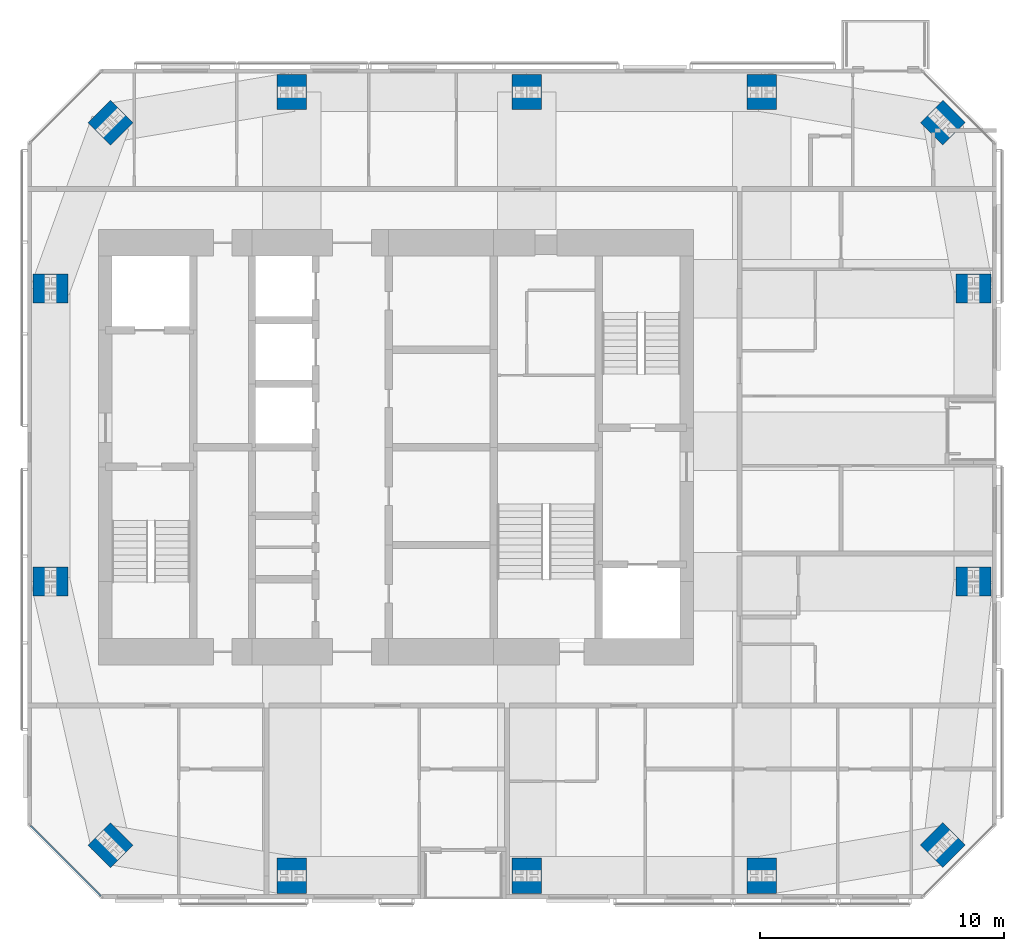
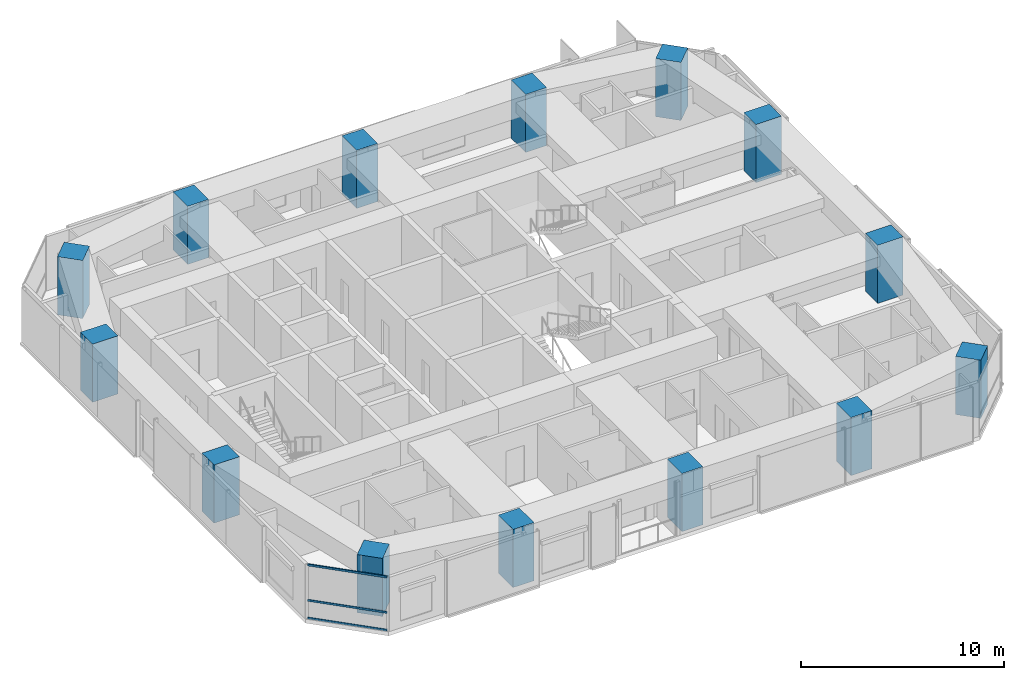
# One storey, part 1 of 20: 14 columns, 3 members, 1 element without a shape of its own.
"""IFC4 building model written with IfcOpenShell, lengths in metres."""

from ifc_helpers import new_model, si_unit, direction, frame, origin, origin_2d, place, context, subcontext, project, spatial, rectangle, extrude, material, material_profile, profile_set, type_object, element, aggregate, save


model = new_model("IFC4")

# Units and contexts
model_context = context("Model", 3, precision=1e-05, world=origin(), true_north=direction((0.0, 1.0)))
body_context = subcontext(model_context, "Body", "Model", "MODEL_VIEW")
ifc_project = project(units=[si_unit("LENGTHUNIT", "METRE"), si_unit("AREAUNIT", "SQUARE_METRE"), si_unit("VOLUMEUNIT", "CUBIC_METRE"), si_unit("PLANEANGLEUNIT", "RADIAN"), si_unit("MASSUNIT", "GRAM", prefix="KILO")], contexts=[model_context])

# Site, building, storey
site_placement = place(None, origin())
site = spatial("IfcSite", under=ifc_project, at=site_placement, CompositionType="ELEMENT")
building_placement = place(site_placement, origin())
building = spatial("IfcBuilding", under=site, at=building_placement, Name="Jalousie Tower", CompositionType="ELEMENT")
storey_placement = place(building_placement, frame((0.0, 0.0, 242.449951171875)))
storey = spatial("IfcBuildingStorey", under=building, at=storey_placement, Name="L66", CompositionType="ELEMENT", Elevation=242.449951171875)

# Columns
ifc_material_1 = material(Name="Concrete f'c 120 MPa", Category="concrete")
ifc_material_profile_1 = material_profile(ifc_material_1, rectangle(XDim=1.300048828125, YDim=1.300048828125, at=origin_2d()), Name="RC 1300x1300")
ifc_profile_set_1 = profile_set([ifc_material_profile_1], Name="Concrete f'c 120 MPa")
column_type_1 = type_object("IfcColumnType", Name="RC COLUMN 1300x1300", PredefinedType="COLUMN", material=ifc_profile_set_1)
for number, where, z_axis, x_axis, name in (
    (1, (20.20703125, 2.20703125, 0.0), (0.0, 0.0, 1.0), (0.707106781187, 0.707106781187, 0.0), "Column 01 L66"),
    (2, (54.29296875, 2.20703125, 0.0), (0.0, 0.0, 1.0), (0.707106781187, 0.707106781187, 0.0), "Column 05 L66"),
    (3, (54.29296875, 31.79296875, 0.0), (0.0, 0.0, 1.0), (0.707106781187, 0.707106781187, 0.0), "Column 08 L66"),
    (4, (20.20703125, 31.79296875, 0.0), (0.0, 0.0, 1.0), (0.707106781187, 0.707106781187, 0.0), "Column 12 L66"),
):
    element("IfcColumn", number, at=place(storey_placement, frame(where, z_axis=z_axis, x_axis=x_axis)), inside=storey, type_object=column_type_1, Name=name, PredefinedType="COLUMN", context=body_context, shape_type="SweptSolid", body=[
        extrude(rectangle(XDim=1.300048828125, YDim=1.300048828125, at=origin_2d()), origin(), (0.0, 0.0, 1.0), 3.5),
    ])
ifc_material_2 = material(Name="Concrete f'c 120 MPa", Category="concrete")
ifc_material_profile_2 = material_profile(ifc_material_2, rectangle(XDim=1.449951171875, YDim=1.199951171875, at=origin_2d()), Name="RC 1450x1200")
ifc_profile_set_2 = profile_set([ifc_material_profile_2], Name="Concrete f'c 120 MPa")
column_type_2 = type_object("IfcColumnType", Name="RC COLUMN 1450x1200", PredefinedType="COLUMN", material=ifc_profile_set_2)
for number, where, z_axis, x_axis, name in (
    (5, (27.625, 0.949951171875, 0.0), (0.0, 0.0, 1.0), (0.0, 1.0, 0.0), "Column 02 L66"),
    (6, (37.25, 0.949951171875, 0.0), (0.0, 0.0, 1.0), (0.0, 1.0, 0.0), "Column 03 L66"),
    (7, (46.875, 0.949951171875, 0.0), (0.0, 0.0, 1.0), (0.0, 1.0, 0.0), "Column 04 L66"),
    (8, (55.550048828125, 13.0, 0.0), (0.0, 0.0, 1.0), (1.0, 0.0, 0.0), "Column 06 L66"),
    (9, (55.550048828125, 25.0, 0.0), (0.0, 0.0, 1.0), (1.0, 0.0, 0.0), "Column 07 L66"),
    (10, (46.875, 33.050048828125, 0.0), (0.0, 0.0, 1.0), (0.0, 1.0, 0.0), "Column 09 L66"),
    (11, (37.25, 33.050048828125, 0.0), (0.0, 0.0, 1.0), (0.0, 1.0, 0.0), "Column 10 L66"),
    (12, (27.625, 33.050048828125, 0.0), (0.0, 0.0, 1.0), (0.0, 1.0, 0.0), "Column 11 L66"),
    (13, (17.75, 25.0, 0.0), (0.0, 0.0, 1.0), (1.0, 0.0, 0.0), "Column 13 L66"),
    (14, (17.75, 13.0, 0.0), (0.0, 0.0, 1.0), (1.0, 0.0, 0.0), "Column 14 L66"),
):
    element("IfcColumn", number, at=place(storey_placement, frame(where, z_axis=z_axis, x_axis=x_axis)), inside=storey, type_object=column_type_2, Name=name, PredefinedType="COLUMN", context=body_context, shape_type="SweptSolid", body=[
        extrude(rectangle(XDim=1.449951171875, YDim=1.199951171875, at=origin_2d()), origin(), (0.0, 0.0, 1.0), 3.5),
    ])

# Curtain wall, members
ifc_material_3 = material(Name="Aluminium curtain wall", Category="aluminium")
curtain_wall_type = type_object("IfcCurtainWallType", Name="CORNER WINDOW WALL", PredefinedType="USERDEFINED", material=ifc_material_3)
curtain_wall_placement = place(storey_placement, origin())
curtain_wall = element("IfcCurtainWall", 15, at=curtain_wall_placement, inside=storey, type_object=curtain_wall_type, Name="Corner Window Wall L66 8", ObjectType="CORNER WINDOW WALL", PredefinedType="USERDEFINED")
ifc_material_4 = material(Name="Aluminium transom", Category="aluminium")
ifc_material_profile_3 = material_profile(ifc_material_4, rectangle(XDim=0.06005859375, YDim=0.1201171875, at=origin_2d()), Name="TRANSOM 60x120")
ifc_profile_set_3 = profile_set([ifc_material_profile_3], Name="Aluminium transom")
member_type = type_object("IfcMemberType", Name="CORNER WINDOW WALL TRANSOM", PredefinedType="USERDEFINED", material=ifc_profile_set_3)
member_1_placement = place(storey_placement, frame((16.929931640625, 3.0087890625, 0.030029296875), z_axis=(0.707106781187, -0.707106781187, 0.0), x_axis=(0.707106781187, 0.707106781187, 0.0)))
member_1 = element("IfcMember", 16, at=member_1_placement, type_object=member_type, Name="CW-C transom 1.1", ObjectType="TRANSOM", PredefinedType="USERDEFINED", context=body_context, shape_type="SweptSolid", body=[
    extrude(rectangle(XDim=0.06005859375, YDim=0.1201171875, at=origin_2d()), origin(), (0.0, 0.0, 1.0), 4.0712890625),
])
member_2_placement = place(storey_placement, frame((16.929931640625, 3.0087890625, 1.10009765625), z_axis=(0.707106781187, -0.707106781187, 0.0), x_axis=(0.707106781187, 0.707106781187, 0.0)))
member_2 = element("IfcMember", 17, at=member_2_placement, type_object=member_type, Name="CW-C transom 1.2", ObjectType="TRANSOM", PredefinedType="USERDEFINED", context=body_context, shape_type="SweptSolid", body=[
    extrude(rectangle(XDim=0.06005859375, YDim=0.1201171875, at=origin_2d()), origin(), (0.0, 0.0, 1.0), 4.0712890625),
])
member_3_placement = place(storey_placement, frame((16.929931640625, 3.0087890625, 3.22998046875), z_axis=(0.707106781187, -0.707106781187, 0.0), x_axis=(0.707106781187, 0.707106781187, 0.0)))
member_3 = element("IfcMember", 18, at=member_3_placement, type_object=member_type, Name="CW-C transom 1.3", ObjectType="TRANSOM", PredefinedType="USERDEFINED", context=body_context, shape_type="SweptSolid", body=[
    extrude(rectangle(XDim=0.06005859375, YDim=0.1201171875, at=origin_2d()), origin(), (0.0, 0.0, 1.0), 4.0712890625),
])
aggregate(curtain_wall, [member_1, member_2, member_3])

save(model, "model.ifc")
